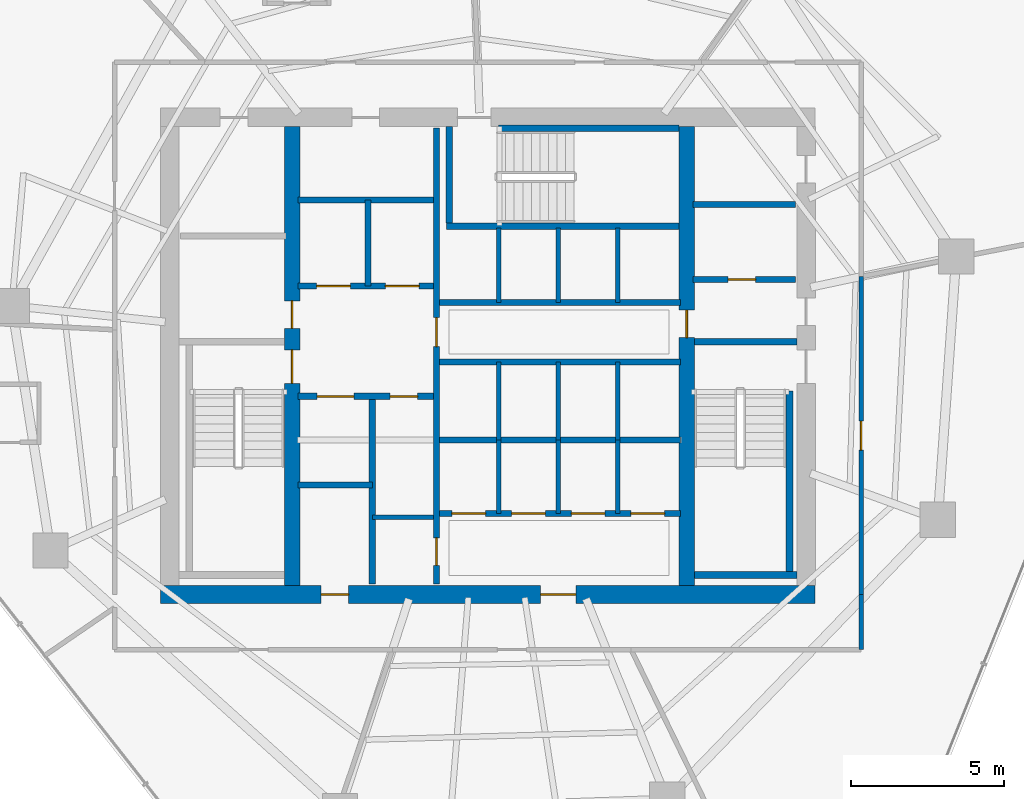
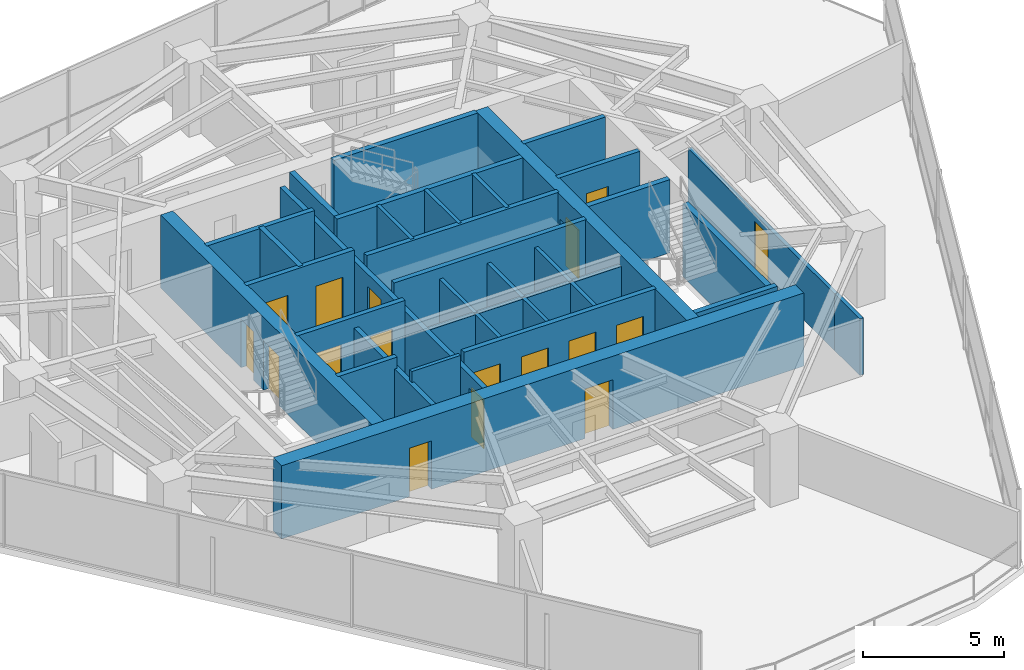
# One storey, part 24 of 29: 34 walls, 17 doors, 17 openings.
"""IFC4 building model written with IfcOpenShell, lengths in metres."""

from ifc_helpers import new_model, si_unit, direction, frame, frame_2d, origin, place, context, subcontext, project, spatial, rectangle, extrude, material, layer, layer_set, type_object, element, fill, save


model = new_model("IFC4")

# Units and contexts
model_context = context("Model", 3, precision=1e-05, world=origin(), true_north=direction((0.0, 1.0)))
body_context = subcontext(model_context, "Body", "Model", "MODEL_VIEW")
ifc_project = project(units=[si_unit("LENGTHUNIT", "METRE"), si_unit("AREAUNIT", "SQUARE_METRE"), si_unit("VOLUMEUNIT", "CUBIC_METRE"), si_unit("PLANEANGLEUNIT", "RADIAN"), si_unit("MASSUNIT", "GRAM", prefix="KILO")], contexts=[model_context])

# Site, building, storey
site_placement = place(None, origin())
site = spatial("IfcSite", under=ifc_project, at=site_placement, CompositionType="ELEMENT")
building_placement = place(site_placement, origin())
building = spatial("IfcBuilding", under=site, at=building_placement, Name="Qarnah Convention Tower", CompositionType="ELEMENT")
storey_placement = place(building_placement, frame((0.0, 0.0, 97.050048828125)))
storey = spatial("IfcBuildingStorey", under=building, at=storey_placement, Name="L25", CompositionType="ELEMENT", Elevation=97.050048828125)

# Wall, openings, doors
ifc_material_1 = material(Name="Concrete C60/75", Category="concrete")
ifc_layer_1 = layer(ifc_material_1, 0.60009765625)
ifc_layer_set_1 = layer_set([ifc_layer_1], Name="Concrete C60/75")
wall_type_1 = type_object("IfcWallType", Name="WL-CORE-600", PredefinedType="SHEAR", material=ifc_layer_set_1)
wall_1_placement = place(storey_placement, frame((26.5, 18.60009765625, 0.0), z_axis=(0.0, 0.0, 1.0), x_axis=(1.0, 0.0, 0.0)))
wall_1 = element("IfcWall", 1, at=wall_1_placement, inside=storey, type_object=wall_type_1, Name="L25 core south shear wall", PredefinedType="SHEAR", context=body_context, shape_type="SweptSolid", body=[
    extrude(rectangle(XDim=21.39990234375, YDim=0.60009765625, at=frame_2d((10.699951171875, 0.0))), origin(), (0.0, 0.0, 1.0), 3.169921875),
])
opening_1_placement = place(wall_1_placement, frame((12.425048828125, 0.0, 0.0)))
opening_1 = element("IfcOpeningElement", 2, at=opening_1_placement, cuts=wall_1, Name="Opening D-2507", PredefinedType="OPENING", context=body_context, shape_type="SweptSolid", body=[
    extrude(rectangle(XDim=1.14990234375, YDim=2.14990234375, at=frame_2d((0.574951171875, 1.074951171875))), frame((0.0, 0.31005859375, 0.0), z_axis=(0.0, -1.0, 0.0), x_axis=(1.0, 0.0, 0.0)), (0.0, 0.0, 1.0), 0.6201171875),
])
opening_2_placement = place(wall_1_placement, frame((5.25, 0.0, 0.0)))
opening_2 = element("IfcOpeningElement", 3, at=opening_2_placement, cuts=wall_1, Name="Opening D-2513", PredefinedType="OPENING", context=body_context, shape_type="SweptSolid", body=[
    extrude(rectangle(XDim=0.89990234375, YDim=2.10009765625, at=frame_2d((0.449951171875, 1.050048828125))), frame((0.0, 0.31005859375, 0.0), z_axis=(0.0, -1.0, 0.0), x_axis=(1.0, 0.0, 0.0)), (0.0, 0.0, 1.0), 0.6201171875),
])
ifc_material_2 = material(Name="Structural steel S355JR", Category="steel")
door_type_1 = type_object("IfcDoorType", Name="DT-LOBBY-1150", OperationType="NOTDEFINED", PredefinedType="DOOR", material=ifc_material_2)
door_1_placement = place(opening_1_placement, origin())
door_1 = element("IfcDoor", 4, at=door_1_placement, inside=storey, type_object=door_type_1, Name="Door D-2507", OperationType="SINGLE_SWING_LEFT", OverallHeight=2.14990234375, OverallWidth=1.14990234375, PredefinedType="DOOR", context=body_context, shape_type="SweptSolid", body=[
    extrude(rectangle(XDim=1.14990234375, YDim=2.14990234375, at=frame_2d((0.574951171875, 1.074951171875))), frame((0.0, 0.02490234375, 0.0), z_axis=(0.0, -1.0, 0.0), x_axis=(1.0, 0.0, 0.0)), (0.0, 0.0, 1.0), 0.050048828125),
])
fill(opening_1, door_1)
door_type_2 = type_object("IfcDoorType", Name="DT-RISER-900", OperationType="NOTDEFINED", PredefinedType="DOOR", material=ifc_material_2)
door_2_placement = place(opening_2_placement, origin())
door_2 = element("IfcDoor", 5, at=door_2_placement, inside=storey, type_object=door_type_2, Name="Door D-2513", OperationType="SINGLE_SWING_LEFT", OverallHeight=2.10009765625, OverallWidth=0.89990234375, PredefinedType="DOOR", context=body_context, shape_type="SweptSolid", body=[
    extrude(rectangle(XDim=0.89990234375, YDim=2.10009765625, at=frame_2d((0.449951171875, 1.050048828125))), frame((0.0, 0.02490234375, 0.0), z_axis=(0.0, -1.0, 0.0), x_axis=(1.0, 0.0, 0.0)), (0.0, 0.0, 1.0), 0.050048828125),
])
fill(opening_2, door_2)

ifc_layer_2 = layer(ifc_material_1, 0.5)
ifc_layer_set_2 = layer_set([ifc_layer_2], Name="Concrete C60/75")
wall_type_2 = type_object("IfcWallType", Name="WL-CORE-INT-400", PredefinedType="SHEAR", material=ifc_layer_set_2)
wall_2_placement = place(storey_placement, frame((30.800048828125, 18.89990234375, 0.0), z_axis=(0.0, 0.0, 1.0), x_axis=(0.0, 1.0, 0.0)))
wall_2 = element("IfcWall", 6, at=wall_2_placement, inside=storey, type_object=wall_type_2, Name="L25 core west spine shear wall", PredefinedType="SHEAR", context=body_context, shape_type="SweptSolid", body=[
    extrude(rectangle(XDim=15.0, YDim=0.5, at=frame_2d((7.5, 0.0))), origin(), (0.0, 0.0, 1.0), 3.169921875),
])
opening_3_placement = place(wall_2_placement, frame((6.60009765625, 0.0, 0.0)))
opening_3 = element("IfcOpeningElement", 7, at=opening_3_placement, cuts=wall_2, Name="Opening D-2501", PredefinedType="OPENING", context=body_context, shape_type="SweptSolid", body=[
    extrude(rectangle(XDim=1.10009765625, YDim=2.14990234375, at=frame_2d((0.550048828125, 1.074951171875))), frame((0.0, 0.260009765625, 0.0), z_axis=(0.0, -1.0, 0.0), x_axis=(1.0, 0.0, 0.0)), (0.0, 0.0, 1.0), 0.52001953125),
])
opening_4_placement = place(wall_2_placement, frame((8.39990234375, 0.0, 0.0)))
opening_4 = element("IfcOpeningElement", 8, at=opening_4_placement, cuts=wall_2, Name="Opening D-2508", PredefinedType="OPENING", context=body_context, shape_type="SweptSolid", body=[
    extrude(rectangle(XDim=0.89990234375, YDim=2.10009765625, at=frame_2d((0.449951171875, 1.050048828125))), frame((0.0, 0.260009765625, 0.0), z_axis=(0.0, -1.0, 0.0), x_axis=(1.0, 0.0, 0.0)), (0.0, 0.0, 1.0), 0.52001953125),
])
door_3_placement = place(opening_4_placement, origin())
door_3 = element("IfcDoor", 9, at=door_3_placement, inside=storey, type_object=door_type_2, Name="Door D-2508", OperationType="SINGLE_SWING_RIGHT", OverallHeight=2.10009765625, OverallWidth=0.89990234375, PredefinedType="DOOR", context=body_context, shape_type="SweptSolid", body=[
    extrude(rectangle(XDim=0.89990234375, YDim=2.10009765625, at=frame_2d((0.449951171875, 1.050048828125))), frame((0.0, 0.02490234375, 0.0), z_axis=(0.0, -1.0, 0.0), x_axis=(1.0, 0.0, 0.0)), (0.0, 0.0, 1.0), 0.050048828125),
])
fill(opening_4, door_3)
door_type_3 = type_object("IfcDoorType", Name="DT-STAIR-1100", OperationType="NOTDEFINED", PredefinedType="DOOR", material=ifc_material_2)
door_4_placement = place(opening_3_placement, origin())
door_4 = element("IfcDoor", 10, at=door_4_placement, inside=storey, type_object=door_type_3, Name="Door D-2501", OperationType="SINGLE_SWING_LEFT", OverallHeight=2.14990234375, OverallWidth=1.10009765625, PredefinedType="DOOR", context=body_context, shape_type="SweptSolid", body=[
    extrude(rectangle(XDim=1.10009765625, YDim=2.14990234375, at=frame_2d((0.550048828125, 1.074951171875))), frame((0.0, 0.02490234375, 0.0), z_axis=(0.0, -1.0, 0.0), x_axis=(1.0, 0.0, 0.0)), (0.0, 0.0, 1.0), 0.050048828125),
])
fill(opening_3, door_4)

# Wall, opening, door
wall_3_placement = place(storey_placement, frame((43.699951171875, 18.89990234375, 0.0), z_axis=(0.0, 0.0, 1.0), x_axis=(0.0, 1.0, 0.0)))
wall_3 = element("IfcWall", 11, at=wall_3_placement, inside=storey, type_object=wall_type_2, Name="L25 core east spine shear wall", PredefinedType="SHEAR", context=body_context, shape_type="SweptSolid", body=[
    extrude(rectangle(XDim=15.0, YDim=0.5, at=frame_2d((7.5, 0.0))), origin(), (0.0, 0.0, 1.0), 3.169921875),
])
opening_5_placement = place(wall_3_placement, frame((8.10009765625, 0.0, 0.0)))
opening_5 = element("IfcOpeningElement", 12, at=opening_5_placement, cuts=wall_3, Name="Opening D-2505", PredefinedType="OPENING", context=body_context, shape_type="SweptSolid", body=[
    extrude(rectangle(XDim=0.89990234375, YDim=2.10009765625, at=frame_2d((0.449951171875, 1.050048828125))), frame((0.0, 0.260009765625, 0.0), z_axis=(0.0, -1.0, 0.0), x_axis=(1.0, 0.0, 0.0)), (0.0, 0.0, 1.0), 0.52001953125),
])
door_5_placement = place(opening_5_placement, origin())
door_5 = element("IfcDoor", 13, at=door_5_placement, inside=storey, type_object=door_type_2, Name="Door D-2505", OperationType="SINGLE_SWING_LEFT", OverallHeight=2.10009765625, OverallWidth=0.89990234375, PredefinedType="DOOR", context=body_context, shape_type="SweptSolid", body=[
    extrude(rectangle(XDim=0.89990234375, YDim=2.10009765625, at=frame_2d((0.449951171875, 1.050048828125))), frame((0.0, 0.02490234375, 0.0), z_axis=(0.0, -1.0, 0.0), x_axis=(1.0, 0.0, 0.0)), (0.0, 0.0, 1.0), 0.050048828125),
])
fill(opening_5, door_5)

ifc_material_3 = material(Name="Concrete C45/55", Category="concrete")
ifc_layer_3 = layer(ifc_material_3, 0.199951171875)
ifc_layer_set_3 = layer_set([ifc_layer_3], Name="Concrete C45/55")
wall_type_3 = type_object("IfcWallType", Name="WL-CORE-PART-200", PredefinedType="SOLIDWALL", material=ifc_layer_set_3)
wall_4_placement = place(storey_placement, frame((43.89990234375, 28.89990234375, 0.0), z_axis=(0.0, 0.0, 1.0), x_axis=(1.0, 0.0, 0.0)))
wall_4 = element("IfcWall", 14, at=wall_4_placement, inside=storey, type_object=wall_type_3, Name="L25 interior wall IW-L25-EVSTN", PredefinedType="SOLIDWALL", context=body_context, shape_type="SweptSolid", body=[
    extrude(rectangle(XDim=3.35009765625, YDim=0.199951171875, at=frame_2d((1.675048828125, 0.0))), origin(), (0.0, 0.0, 1.0), 3.169921875),
])
opening_6_placement = place(wall_4_placement, frame((1.14990234375, 0.0, 0.0)))
opening_6 = element("IfcOpeningElement", 15, at=opening_6_placement, cuts=wall_4, Name="Opening D-2511", PredefinedType="OPENING", context=body_context, shape_type="SweptSolid", body=[
    extrude(rectangle(XDim=0.89990234375, YDim=2.10009765625, at=frame_2d((0.449951171875, 1.050048828125))), frame((0.0, 0.10986328125, 0.0), z_axis=(0.0, -1.0, 0.0), x_axis=(1.0, 0.0, 0.0)), (0.0, 0.0, 1.0), 0.219970703125),
])
door_6_placement = place(opening_6_placement, origin())
door_6 = element("IfcDoor", 16, at=door_6_placement, inside=storey, type_object=door_type_2, Name="Door D-2511", OperationType="SINGLE_SWING_LEFT", OverallHeight=2.10009765625, OverallWidth=0.89990234375, PredefinedType="DOOR", context=body_context, shape_type="SweptSolid", body=[
    extrude(rectangle(XDim=0.89990234375, YDim=2.10009765625, at=frame_2d((0.449951171875, 1.050048828125))), frame((0.0, 0.02490234375, 0.0), z_axis=(0.0, -1.0, 0.0), x_axis=(1.0, 0.0, 0.0)), (0.0, 0.0, 1.0), 0.050048828125),
])
fill(opening_6, door_6)

# Wall
wall_5_placement = place(storey_placement, frame((43.89990234375, 31.35009765625, 0.0), z_axis=(0.0, 0.0, 1.0), x_axis=(1.0, 0.0, 0.0)))
element("IfcWall", 17, at=wall_5_placement, inside=storey, type_object=wall_type_3, Name="L25 interior wall IW-L25-WTRN", PredefinedType="SOLIDWALL", context=body_context, shape_type="SweptSolid", body=[
    extrude(rectangle(XDim=3.35009765625, YDim=0.199951171875, at=frame_2d((1.675048828125, 0.0))), origin(), (0.0, 0.0, 1.0), 3.169921875),
])

# Wall, openings, doors
wall_6_placement = place(storey_placement, frame((35.52001953125, 18.949951171875, 0.0), z_axis=(0.0, 0.0, 1.0), x_axis=(0.0, 1.0, 0.0)))
wall_6 = element("IfcWall", 18, at=wall_6_placement, inside=storey, type_object=wall_type_3, Name="L25 interior wall IW-L25-CSP", PredefinedType="SOLIDWALL", context=body_context, shape_type="SweptSolid", body=[
    extrude(rectangle(XDim=14.900146484375, YDim=0.199951171875, at=frame_2d((7.4501953125, 0.0))), origin(), (0.0, 0.0, 1.0), 2.69091796875),
])
opening_7_placement = place(wall_6_placement, frame((7.7548828125, 0.0, 0.0)))
opening_7 = element("IfcOpeningElement", 19, at=opening_7_placement, cuts=wall_6, Name="Opening D-2504", PredefinedType="OPENING", context=body_context, shape_type="SweptSolid", body=[
    extrude(rectangle(XDim=0.949951171875, YDim=2.14990234375, at=frame_2d((0.47509765625, 1.074951171875))), frame((0.0, 0.10986328125, 0.0), z_axis=(0.0, -1.0, 0.0), x_axis=(1.0, 0.0, 0.0)), (0.0, 0.0, 1.0), 0.219970703125),
])
opening_8_placement = place(wall_6_placement, frame((0.60009765625, 0.0, 0.0)))
opening_8 = element("IfcOpeningElement", 20, at=opening_8_placement, cuts=wall_6, Name="Opening D-2514", PredefinedType="OPENING", context=body_context, shape_type="SweptSolid", body=[
    extrude(rectangle(XDim=0.89990234375, YDim=2.10009765625, at=frame_2d((0.449951171875, 1.050048828125))), frame((0.0, 0.10986328125, 0.0), z_axis=(0.0, -1.0, 0.0), x_axis=(1.0, 0.0, 0.0)), (0.0, 0.0, 1.0), 0.219970703125),
])
ifc_material_4 = material(Name="Oak timber veneer", Category="wood")
door_type_4 = type_object("IfcDoorType", Name="DT-HOTEL-950", OperationType="NOTDEFINED", PredefinedType="DOOR", material=ifc_material_4)
door_7_placement = place(opening_7_placement, origin())
door_7 = element("IfcDoor", 21, at=door_7_placement, inside=storey, type_object=door_type_4, Name="Door D-2504", OperationType="SINGLE_SWING_RIGHT", OverallHeight=2.14990234375, OverallWidth=0.949951171875, PredefinedType="DOOR", context=body_context, shape_type="SweptSolid", body=[
    extrude(rectangle(XDim=0.949951171875, YDim=2.14990234375, at=frame_2d((0.47509765625, 1.074951171875))), frame((0.0, 0.02490234375, 0.0), z_axis=(0.0, -1.0, 0.0), x_axis=(1.0, 0.0, 0.0)), (0.0, 0.0, 1.0), 0.050048828125),
])
fill(opening_7, door_7)
door_8_placement = place(opening_8_placement, origin())
door_8 = element("IfcDoor", 22, at=door_8_placement, inside=storey, type_object=door_type_2, Name="Door D-2514", OperationType="SINGLE_SWING_RIGHT", OverallHeight=2.10009765625, OverallWidth=0.89990234375, PredefinedType="DOOR", context=body_context, shape_type="SweptSolid", body=[
    extrude(rectangle(XDim=0.89990234375, YDim=2.10009765625, at=frame_2d((0.449951171875, 1.050048828125))), frame((0.0, 0.02490234375, 0.0), z_axis=(0.0, -1.0, 0.0), x_axis=(1.0, 0.0, 0.0)), (0.0, 0.0, 1.0), 0.050048828125),
])
fill(opening_8, door_8)

wall_7_placement = place(storey_placement, frame((31.0, 28.679931640625, 0.0), z_axis=(0.0, 0.0, 1.0), x_axis=(1.0, 0.0, 0.0)))
wall_7 = element("IfcWall", 23, at=wall_7_placement, inside=storey, type_object=wall_type_3, Name="L25 interior wall IW-L25-FFLS", PredefinedType="SOLIDWALL", context=body_context, shape_type="SweptSolid", body=[
    extrude(rectangle(XDim=4.419921875, YDim=0.199951171875, at=frame_2d((2.2099609375, 0.0))), origin(), (0.0, 0.0, 1.0), 3.169921875),
])
opening_9_placement = place(wall_7_placement, frame((0.60009765625, 0.0, 0.0)))
opening_9 = element("IfcOpeningElement", 24, at=opening_9_placement, cuts=wall_7, Name="Opening LD-2501", PredefinedType="OPENING", context=body_context, shape_type="SweptSolid", body=[
    extrude(rectangle(XDim=1.10009765625, YDim=2.14990234375, at=frame_2d((0.550048828125, 1.074951171875))), frame((0.0, 0.10986328125, 0.0), z_axis=(0.0, -1.0, 0.0), x_axis=(1.0, 0.0, 0.0)), (0.0, 0.0, 1.0), 0.219970703125),
])
opening_10_placement = place(wall_7_placement, frame((2.85009765625, 0.0, 0.0)))
opening_10 = element("IfcOpeningElement", 25, at=opening_10_placement, cuts=wall_7, Name="Opening LD-2502", PredefinedType="OPENING", context=body_context, shape_type="SweptSolid", body=[
    extrude(rectangle(XDim=1.10009765625, YDim=2.14990234375, at=frame_2d((0.550048828125, 1.074951171875))), frame((0.0, 0.10986328125, 0.0), z_axis=(0.0, -1.0, 0.0), x_axis=(1.0, 0.0, 0.0)), (0.0, 0.0, 1.0), 0.219970703125),
])
door_type_5 = type_object("IfcDoorType", Name="DT-LIFT-1100", OperationType="SLIDING_TO_LEFT", PredefinedType="DOOR", material=ifc_material_2)
door_9_placement = place(opening_9_placement, origin())
door_9 = element("IfcDoor", 26, at=door_9_placement, inside=storey, type_object=door_type_5, Name="Door LD-2501", OperationType="SLIDING_TO_LEFT", OverallHeight=2.14990234375, OverallWidth=1.10009765625, PredefinedType="DOOR", context=body_context, shape_type="SweptSolid", body=[
    extrude(rectangle(XDim=1.10009765625, YDim=2.14990234375, at=frame_2d((0.550048828125, 1.074951171875))), frame((0.0, 0.02490234375, 0.0), z_axis=(0.0, -1.0, 0.0), x_axis=(1.0, 0.0, 0.0)), (0.0, 0.0, 1.0), 0.050048828125),
])
fill(opening_9, door_9)
door_10_placement = place(opening_10_placement, origin())
door_10 = element("IfcDoor", 27, at=door_10_placement, inside=storey, type_object=door_type_5, Name="Door LD-2502", OperationType="SLIDING_TO_LEFT", OverallHeight=2.14990234375, OverallWidth=1.10009765625, PredefinedType="DOOR", context=body_context, shape_type="SweptSolid", body=[
    extrude(rectangle(XDim=1.10009765625, YDim=2.14990234375, at=frame_2d((0.550048828125, 1.074951171875))), frame((0.0, 0.02490234375, 0.0), z_axis=(0.0, -1.0, 0.0), x_axis=(1.0, 0.0, 0.0)), (0.0, 0.0, 1.0), 0.050048828125),
])
fill(opening_10, door_10)

# Walls
wall_8_placement = place(storey_placement, frame((31.0, 31.5, 0.0), z_axis=(0.0, 0.0, 1.0), x_axis=(1.0, 0.0, 0.0)))
element("IfcWall", 28, at=wall_8_placement, inside=storey, type_object=wall_type_3, Name="L25 interior wall IW-L25-FFLN", PredefinedType="SOLIDWALL", context=body_context, shape_type="SweptSolid", body=[
    extrude(rectangle(XDim=4.419921875, YDim=0.199951171875, at=frame_2d((2.2099609375, 0.0))), origin(), (0.0, 0.0, 1.0), 3.169921875),
])
wall_9_placement = place(storey_placement, frame((33.280029296875, 28.679931640625, 0.0), z_axis=(0.0, 0.0, 1.0), x_axis=(0.0, 1.0, 0.0)))
element("IfcWall", 29, at=wall_9_placement, inside=storey, type_object=wall_type_3, Name="L25 interior wall IW-L25-FFLM", PredefinedType="SOLIDWALL", context=body_context, shape_type="SweptSolid", body=[
    extrude(rectangle(XDim=2.820068359375, YDim=0.199951171875, at=frame_2d((1.41015625, 0.0))), origin(), (0.0, 0.0, 1.0), 3.169921875),
])

# Wall, openings, doors
wall_10_placement = place(storey_placement, frame((31.0, 25.080078125, 0.0), z_axis=(0.0, 0.0, 1.0), x_axis=(1.0, 0.0, 0.0)))
wall_10 = element("IfcWall", 30, at=wall_10_placement, inside=storey, type_object=wall_type_3, Name="L25 interior wall IW-L25-FFLBS", PredefinedType="SOLIDWALL", context=body_context, shape_type="SweptSolid", body=[
    extrude(rectangle(XDim=4.419921875, YDim=0.199951171875, at=frame_2d((2.2099609375, 0.0))), origin(), (0.0, 0.0, 1.0), 3.169921875),
])
opening_11_placement = place(wall_10_placement, frame((3.0, 0.0, 0.0)))
opening_11 = element("IfcOpeningElement", 31, at=opening_11_placement, cuts=wall_10, Name="Opening D-2515", PredefinedType="OPENING", context=body_context, shape_type="SweptSolid", body=[
    extrude(rectangle(XDim=0.89990234375, YDim=2.10009765625, at=frame_2d((0.449951171875, 1.050048828125))), frame((0.0, 0.10986328125, 0.0), z_axis=(0.0, -1.0, 0.0), x_axis=(1.0, 0.0, 0.0)), (0.0, 0.0, 1.0), 0.219970703125),
])
opening_12_placement = place(wall_10_placement, frame((0.6201171875, 0.0, 0.0)))
opening_12 = element("IfcOpeningElement", 32, at=opening_12_placement, cuts=wall_10, Name="Opening LD-2503", PredefinedType="OPENING", context=body_context, shape_type="SweptSolid", body=[
    extrude(rectangle(XDim=1.199951171875, YDim=2.14990234375, at=frame_2d((0.60009765625, 1.074951171875))), frame((0.0, 0.10986328125, 0.0), z_axis=(0.0, -1.0, 0.0), x_axis=(1.0, 0.0, 0.0)), (0.0, 0.0, 1.0), 0.219970703125),
])
door_type_6 = type_object("IfcDoorType", Name="DT-LIFT-1200", OperationType="SLIDING_TO_LEFT", PredefinedType="DOOR", material=ifc_material_2)
door_11_placement = place(opening_12_placement, origin())
door_11 = element("IfcDoor", 33, at=door_11_placement, inside=storey, type_object=door_type_6, Name="Door LD-2503", OperationType="SLIDING_TO_LEFT", OverallHeight=2.14990234375, OverallWidth=1.199951171875, PredefinedType="DOOR", context=body_context, shape_type="SweptSolid", body=[
    extrude(rectangle(XDim=1.199951171875, YDim=2.14990234375, at=frame_2d((0.60009765625, 1.074951171875))), frame((0.0, 0.02490234375, 0.0), z_axis=(0.0, -1.0, 0.0), x_axis=(1.0, 0.0, 0.0)), (0.0, 0.0, 1.0), 0.050048828125),
])
fill(opening_12, door_11)
door_12_placement = place(opening_11_placement, origin())
door_12 = element("IfcDoor", 34, at=door_12_placement, inside=storey, type_object=door_type_2, Name="Door D-2515", OperationType="SINGLE_SWING_LEFT", OverallHeight=2.10009765625, OverallWidth=0.89990234375, PredefinedType="DOOR", context=body_context, shape_type="SweptSolid", body=[
    extrude(rectangle(XDim=0.89990234375, YDim=2.10009765625, at=frame_2d((0.449951171875, 1.050048828125))), frame((0.0, 0.02490234375, 0.0), z_axis=(0.0, -1.0, 0.0), x_axis=(1.0, 0.0, 0.0)), (0.0, 0.0, 1.0), 0.050048828125),
])
fill(opening_11, door_12)

# Walls
wall_11_placement = place(storey_placement, frame((33.419921875, 18.949951171875, 0.0), z_axis=(0.0, 0.0, 1.0), x_axis=(0.0, 1.0, 0.0)))
element("IfcWall", 35, at=wall_11_placement, inside=storey, type_object=wall_type_3, Name="L25 interior wall IW-L25-SVLE", PredefinedType="SOLIDWALL", context=body_context, shape_type="SweptSolid", body=[
    extrude(rectangle(XDim=6.130126953125, YDim=0.199951171875, at=frame_2d((3.06494140625, 0.0))), origin(), (0.0, 0.0, 1.0), 2.69091796875),
])
wall_12_placement = place(storey_placement, frame((31.0, 22.179931640625, 0.0), z_axis=(0.0, 0.0, 1.0), x_axis=(1.0, 0.0, 0.0)))
element("IfcWall", 36, at=wall_12_placement, inside=storey, type_object=wall_type_3, Name="L25 interior wall IW-L25-SVLS", PredefinedType="SOLIDWALL", context=body_context, shape_type="SweptSolid", body=[
    extrude(rectangle(XDim=2.419921875, YDim=0.199951171875, at=frame_2d((1.2099609375, 0.0))), origin(), (0.0, 0.0, 1.0), 3.169921875),
])
for number, where, z_axis, x_axis, name in (
    (37, (35.6201171875, 28.14990234375, 0.0), (0.0, 0.0, 1.0), (1.0, 0.0, 0.0), "L25 interior wall IW-L25-PHS"),
    (38, (35.6201171875, 26.199951171875, 0.0), (0.0, 0.0, 1.0), (1.0, 0.0, 0.0), "L25 interior wall IW-L25-PMN"),
):
    element("IfcWall", number, at=place(storey_placement, frame(where, z_axis=z_axis, x_axis=x_axis)), inside=storey, type_object=wall_type_3, Name=name, PredefinedType="SOLIDWALL", context=body_context, shape_type="SweptSolid", body=[
        extrude(rectangle(XDim=7.8798828125, YDim=0.199951171875, at=frame_2d((3.93994140625, 0.0))), origin(), (0.0, 0.0, 1.0), 3.169921875),
    ])
wall_13_placement = place(storey_placement, frame((35.6201171875, 23.64990234375, 0.0), z_axis=(0.0, 0.0, 1.0), x_axis=(1.0, 0.0, 0.0)))
element("IfcWall", 39, at=wall_13_placement, inside=storey, type_object=wall_type_3, Name="L25 interior wall IW-L25-PMPL", PredefinedType="SOLIDWALL", context=body_context, shape_type="SweptSolid", body=[
    extrude(rectangle(XDim=7.8798828125, YDim=0.199951171875, at=frame_2d((3.93994140625, 0.0))), origin(), (0.0, 0.0, 1.0), 2.69091796875),
])

# Wall, openings, doors
wall_14_placement = place(storey_placement, frame((35.6201171875, 21.25, 0.0), z_axis=(0.0, 0.0, 1.0), x_axis=(1.0, 0.0, 0.0)))
wall_14 = element("IfcWall", 40, at=wall_14_placement, inside=storey, type_object=wall_type_3, Name="L25 interior wall IW-L25-PLS", PredefinedType="SOLIDWALL", context=body_context, shape_type="SweptSolid", body=[
    extrude(rectangle(XDim=7.8798828125, YDim=0.199951171875, at=frame_2d((3.93994140625, 0.0))), origin(), (0.0, 0.0, 1.0), 3.169921875),
])
opening_13_placement = place(wall_14_placement, frame((0.405029296875, 0.0, 0.0)))
opening_13 = element("IfcOpeningElement", 41, at=opening_13_placement, cuts=wall_14, Name="Opening LD-2504", PredefinedType="OPENING", context=body_context, shape_type="SweptSolid", body=[
    extrude(rectangle(XDim=1.10009765625, YDim=2.14990234375, at=frame_2d((0.550048828125, 1.074951171875))), frame((0.0, 0.10986328125, 0.0), z_axis=(0.0, -1.0, 0.0), x_axis=(1.0, 0.0, 0.0)), (0.0, 0.0, 1.0), 0.219970703125),
])
opening_14_placement = place(wall_14_placement, frame((2.35498046875, 0.0, 0.0)))
opening_14 = element("IfcOpeningElement", 42, at=opening_14_placement, cuts=wall_14, Name="Opening LD-2505", PredefinedType="OPENING", context=body_context, shape_type="SweptSolid", body=[
    extrude(rectangle(XDim=1.10009765625, YDim=2.14990234375, at=frame_2d((0.550048828125, 1.074951171875))), frame((0.0, 0.10986328125, 0.0), z_axis=(0.0, -1.0, 0.0), x_axis=(1.0, 0.0, 0.0)), (0.0, 0.0, 1.0), 0.219970703125),
])
opening_15_placement = place(wall_14_placement, frame((4.304931640625, 0.0, 0.0)))
opening_15 = element("IfcOpeningElement", 43, at=opening_15_placement, cuts=wall_14, Name="Opening LD-2506", PredefinedType="OPENING", context=body_context, shape_type="SweptSolid", body=[
    extrude(rectangle(XDim=1.10009765625, YDim=2.14990234375, at=frame_2d((0.550048828125, 1.074951171875))), frame((0.0, 0.10986328125, 0.0), z_axis=(0.0, -1.0, 0.0), x_axis=(1.0, 0.0, 0.0)), (0.0, 0.0, 1.0), 0.219970703125),
])
opening_16_placement = place(wall_14_placement, frame((6.2548828125, 0.0, 0.0)))
opening_16 = element("IfcOpeningElement", 44, at=opening_16_placement, cuts=wall_14, Name="Opening LD-2507", PredefinedType="OPENING", context=body_context, shape_type="SweptSolid", body=[
    extrude(rectangle(XDim=1.10009765625, YDim=2.14990234375, at=frame_2d((0.550048828125, 1.074951171875))), frame((0.0, 0.10986328125, 0.0), z_axis=(0.0, -1.0, 0.0), x_axis=(1.0, 0.0, 0.0)), (0.0, 0.0, 1.0), 0.219970703125),
])
door_13_placement = place(opening_13_placement, origin())
door_13 = element("IfcDoor", 45, at=door_13_placement, inside=storey, type_object=door_type_5, Name="Door LD-2504", OperationType="SLIDING_TO_LEFT", OverallHeight=2.14990234375, OverallWidth=1.10009765625, PredefinedType="DOOR", context=body_context, shape_type="SweptSolid", body=[
    extrude(rectangle(XDim=1.10009765625, YDim=2.14990234375, at=frame_2d((0.550048828125, 1.074951171875))), frame((0.0, 0.02490234375, 0.0), z_axis=(0.0, -1.0, 0.0), x_axis=(1.0, 0.0, 0.0)), (0.0, 0.0, 1.0), 0.050048828125),
])
fill(opening_13, door_13)
door_14_placement = place(opening_14_placement, origin())
door_14 = element("IfcDoor", 46, at=door_14_placement, inside=storey, type_object=door_type_5, Name="Door LD-2505", OperationType="SLIDING_TO_LEFT", OverallHeight=2.14990234375, OverallWidth=1.10009765625, PredefinedType="DOOR", context=body_context, shape_type="SweptSolid", body=[
    extrude(rectangle(XDim=1.10009765625, YDim=2.14990234375, at=frame_2d((0.550048828125, 1.074951171875))), frame((0.0, 0.02490234375, 0.0), z_axis=(0.0, -1.0, 0.0), x_axis=(1.0, 0.0, 0.0)), (0.0, 0.0, 1.0), 0.050048828125),
])
fill(opening_14, door_14)
door_15_placement = place(opening_15_placement, origin())
door_15 = element("IfcDoor", 47, at=door_15_placement, inside=storey, type_object=door_type_5, Name="Door LD-2506", OperationType="SLIDING_TO_LEFT", OverallHeight=2.14990234375, OverallWidth=1.10009765625, PredefinedType="DOOR", context=body_context, shape_type="SweptSolid", body=[
    extrude(rectangle(XDim=1.10009765625, YDim=2.14990234375, at=frame_2d((0.550048828125, 1.074951171875))), frame((0.0, 0.02490234375, 0.0), z_axis=(0.0, -1.0, 0.0), x_axis=(1.0, 0.0, 0.0)), (0.0, 0.0, 1.0), 0.050048828125),
])
fill(opening_15, door_15)
door_16_placement = place(opening_16_placement, origin())
door_16 = element("IfcDoor", 48, at=door_16_placement, inside=storey, type_object=door_type_5, Name="Door LD-2507", OperationType="SLIDING_TO_LEFT", OverallHeight=2.14990234375, OverallWidth=1.10009765625, PredefinedType="DOOR", context=body_context, shape_type="SweptSolid", body=[
    extrude(rectangle(XDim=1.10009765625, YDim=2.14990234375, at=frame_2d((0.550048828125, 1.074951171875))), frame((0.0, 0.02490234375, 0.0), z_axis=(0.0, -1.0, 0.0), x_axis=(1.0, 0.0, 0.0)), (0.0, 0.0, 1.0), 0.050048828125),
])
fill(opening_16, door_16)

# Walls
ifc_layer_4 = layer(ifc_material_1, 0.219970703125)
ifc_layer_set_4 = layer_set([ifc_layer_4], Name="Concrete C60/75")
wall_type_4 = type_object("IfcWallType", Name="WL-CORE-STAIR-220", PredefinedType="SHEAR", material=ifc_layer_set_4)
wall_15_placement = place(storey_placement, frame((43.949951171875, 26.860107421875, 0.0), z_axis=(0.0, 0.0, 1.0), x_axis=(1.0, 0.0, 0.0)))
element("IfcWall", 49, at=wall_15_placement, inside=storey, type_object=wall_type_4, Name="L25 stair shaft shear wall SW-L25-ST2N", PredefinedType="SHEAR", context=body_context, shape_type="SweptSolid", body=[
    extrude(rectangle(XDim=3.35009765625, YDim=0.219970703125, at=frame_2d((1.675048828125, 0.0))), origin(), (0.0, 0.0, 1.0), 3.169921875),
])
wall_16_placement = place(storey_placement, frame((47.06005859375, 19.35009765625, 0.0), z_axis=(0.0, 0.0, 1.0), x_axis=(0.0, 1.0, 0.0)))
element("IfcWall", 50, at=wall_16_placement, inside=storey, type_object=wall_type_4, Name="L25 stair shaft shear wall SW-L25-ST2E", PredefinedType="SHEAR", context=body_context, shape_type="SweptSolid", body=[
    extrude(rectangle(XDim=5.89990234375, YDim=0.219970703125, at=frame_2d((2.949951171875, 0.0))), origin(), (0.0, 0.0, 1.0), 3.169921875),
])
wall_17_placement = place(storey_placement, frame((43.949951171875, 19.239990234375, 0.0), z_axis=(0.0, 0.0, 1.0), x_axis=(1.0, 0.0, 0.0)))
element("IfcWall", 51, at=wall_17_placement, inside=storey, type_object=wall_type_4, Name="L25 stair shaft shear wall SW-L25-ST2S", PredefinedType="SHEAR", context=body_context, shape_type="SweptSolid", body=[
    extrude(rectangle(XDim=3.35009765625, YDim=0.219970703125, at=frame_2d((1.675048828125, 0.0))), origin(), (0.0, 0.0, 1.0), 3.169921875),
])
wall_18_placement = place(storey_placement, frame((35.840087890625, 30.639892578125, 0.0), z_axis=(0.0, 0.0, 1.0), x_axis=(1.0, 0.0, 0.0)))
element("IfcWall", 52, at=wall_18_placement, inside=storey, type_object=wall_type_4, Name="L25 stair shaft shear wall SW-L25-ST3S", PredefinedType="SHEAR", context=body_context, shape_type="SweptSolid", body=[
    extrude(rectangle(XDim=7.60986328125, YDim=0.219970703125, at=frame_2d((3.804931640625, 0.0))), origin(), (0.0, 0.0, 1.0), 3.169921875),
])
wall_19_placement = place(storey_placement, frame((35.93994140625, 30.75, 0.0), z_axis=(0.0, 0.0, 1.0), x_axis=(0.0, 1.0, 0.0)))
element("IfcWall", 53, at=wall_19_placement, inside=storey, type_object=wall_type_4, Name="L25 stair shaft shear wall SW-L25-ST3W", PredefinedType="SHEAR", context=body_context, shape_type="SweptSolid", body=[
    extrude(rectangle(XDim=3.14990234375, YDim=0.219970703125, at=frame_2d((1.574951171875, 0.0))), origin(), (0.0, 0.0, 1.0), 3.169921875),
])
wall_20_placement = place(storey_placement, frame((37.550048828125, 33.840087890625, 0.0), z_axis=(0.0, 0.0, 1.0), x_axis=(1.0, 0.0, 0.0)))
element("IfcWall", 54, at=wall_20_placement, inside=storey, type_object=wall_type_4, Name="L25 stair shaft shear wall SW-L25-ST3N", PredefinedType="SHEAR", context=body_context, shape_type="SweptSolid", body=[
    extrude(rectangle(XDim=5.89990234375, YDim=0.219970703125, at=frame_2d((2.949951171875, 0.0))), origin(), (0.0, 0.0, 1.0), 3.169921875),
])
ifc_material_5 = material(Name="Gypsum partition board")
ifc_layer_5 = layer(ifc_material_5, 0.14990234375)
ifc_layer_set_5 = layer_set([ifc_layer_5], Name="Gypsum partition board")
wall_type_5 = type_object("IfcWallType", Name="WL-SUITE-150", PredefinedType="PARTITIONING", material=ifc_layer_set_5)
wall_21_placement = place(storey_placement, frame((33.419921875, 21.1201171875, 0.0), z_axis=(0.0, 0.0, 1.0), x_axis=(1.0, 0.0, 0.0)))
element("IfcWall", 55, at=wall_21_placement, inside=storey, type_object=wall_type_5, Name="L25 interior wall IW-L25-CSV1", PredefinedType="PARTITIONING", context=body_context, shape_type="SweptSolid", body=[
    extrude(rectangle(XDim=2.0, YDim=0.14990234375, at=frame_2d((1.0, 0.0))), origin(), (0.0, 0.0, 1.0), 3.169921875),
])
for number, where, z_axis, x_axis, name in (
    (56, (37.550048828125, 28.14990234375, 0.0), (0.0, 0.0, 1.0), (0.0, 1.0, 0.0), "L25 interior wall IW-L25-PHD1"),
    (57, (39.5, 28.14990234375, 0.0), (0.0, 0.0, 1.0), (0.0, 1.0, 0.0), "L25 interior wall IW-L25-PHD2"),
    (58, (41.449951171875, 28.14990234375, 0.0), (0.0, 0.0, 1.0), (0.0, 1.0, 0.0), "L25 interior wall IW-L25-PHD3"),
):
    element("IfcWall", number, at=place(storey_placement, frame(where, z_axis=z_axis, x_axis=x_axis)), inside=storey, type_object=wall_type_5, Name=name, PredefinedType="PARTITIONING", context=body_context, shape_type="SweptSolid", body=[
        extrude(rectangle(XDim=2.43017578125, YDim=0.14990234375, at=frame_2d((1.215087890625, 0.0))), origin(), (0.0, 0.0, 1.0), 3.169921875),
    ])
for number, where, z_axis, x_axis, name in (
    (59, (37.550048828125, 23.64990234375, 0.0), (0.0, 0.0, 1.0), (0.0, 1.0, 0.0), "L25 interior wall IW-L25-PMD1"),
    (60, (39.5, 23.64990234375, 0.0), (0.0, 0.0, 1.0), (0.0, 1.0, 0.0), "L25 interior wall IW-L25-PMD2"),
    (61, (41.449951171875, 23.64990234375, 0.0), (0.0, 0.0, 1.0), (0.0, 1.0, 0.0), "L25 interior wall IW-L25-PMD3"),
):
    element("IfcWall", number, at=place(storey_placement, frame(where, z_axis=z_axis, x_axis=x_axis)), inside=storey, type_object=wall_type_5, Name=name, PredefinedType="PARTITIONING", context=body_context, shape_type="SweptSolid", body=[
        extrude(rectangle(XDim=2.550048828125, YDim=0.14990234375, at=frame_2d((1.27490234375, 0.0))), origin(), (0.0, 0.0, 1.0), 2.69091796875),
    ])
for number, where, z_axis, x_axis, name in (
    (62, (37.550048828125, 21.25, 0.0), (0.0, 0.0, 1.0), (0.0, 1.0, 0.0), "L25 interior wall IW-L25-PLD1"),
    (63, (39.5, 21.25, 0.0), (0.0, 0.0, 1.0), (0.0, 1.0, 0.0), "L25 interior wall IW-L25-PLD2"),
    (64, (41.449951171875, 21.25, 0.0), (0.0, 0.0, 1.0), (0.0, 1.0, 0.0), "L25 interior wall IW-L25-PLD3"),
):
    element("IfcWall", number, at=place(storey_placement, frame(where, z_axis=z_axis, x_axis=x_axis)), inside=storey, type_object=wall_type_5, Name=name, PredefinedType="PARTITIONING", context=body_context, shape_type="SweptSolid", body=[
        extrude(rectangle(XDim=2.39990234375, YDim=0.14990234375, at=frame_2d((1.199951171875, 0.0))), origin(), (0.0, 0.0, 1.0), 2.69091796875),
    ])

# Wall, opening, door
wall_22_placement = place(storey_placement, frame((49.39990234375, 28.992919921875, 0.0), z_axis=(0.0, 0.0, 1.0), x_axis=(0.0, -1.0, 0.0)))
wall_22 = element("IfcWall", 65, at=wall_22_placement, inside=storey, type_object=wall_type_5, Name="L25 interior wall IW-L25-R-37", PredefinedType="PARTITIONING", context=body_context, shape_type="SweptSolid", body=[
    extrude(rectangle(XDim=10.392822265625, YDim=0.14990234375, at=frame_2d((5.1962890625, 0.0))), origin(), (0.0, 0.0, 1.0), 2.454833984375),
])
opening_17_placement = place(wall_22_placement, frame((4.720947265625, 0.0, 0.0)))
opening_17 = element("IfcOpeningElement", 66, at=opening_17_placement, cuts=wall_22, Name="Opening D-2527", PredefinedType="OPENING", context=body_context, shape_type="SweptSolid", body=[
    extrude(rectangle(XDim=0.949951171875, YDim=2.14990234375, at=frame_2d((0.47509765625, 1.074951171875))), frame((0.0, 0.0849609375, 0.0), z_axis=(0.0, -1.0, 0.0), x_axis=(1.0, 0.0, 0.0)), (0.0, 0.0, 1.0), 0.169921875),
])
door_17_placement = place(opening_17_placement, origin())
door_17 = element("IfcDoor", 67, at=door_17_placement, inside=storey, type_object=door_type_4, Name="Door D-2527", OperationType="SINGLE_SWING_LEFT", OverallHeight=2.14990234375, OverallWidth=0.949951171875, PredefinedType="DOOR", context=body_context, shape_type="SweptSolid", body=[
    extrude(rectangle(XDim=0.949951171875, YDim=2.14990234375, at=frame_2d((0.47509765625, 1.074951171875))), frame((0.0, 0.02490234375, 0.0), z_axis=(0.0, -1.0, 0.0), x_axis=(1.0, 0.0, 0.0)), (0.0, 0.0, 1.0), 0.050048828125),
])
fill(opening_17, door_17)

# Wall
wall_23_placement = place(storey_placement, frame((49.39990234375, 18.60009765625, 0.0), z_axis=(0.0, 0.0, 1.0), x_axis=(0.0, -1.0, 0.0)))
element("IfcWall", 68, at=wall_23_placement, inside=storey, type_object=wall_type_5, Name="L25 interior wall IW-L25-R-38", PredefinedType="PARTITIONING", context=body_context, shape_type="SweptSolid", body=[
    extrude(rectangle(XDim=1.800048828125, YDim=0.14990234375, at=frame_2d((0.89990234375, 0.0))), origin(), (0.0, 0.0, 1.0), 2.454833984375),
])

save(model, "model.ifc")
